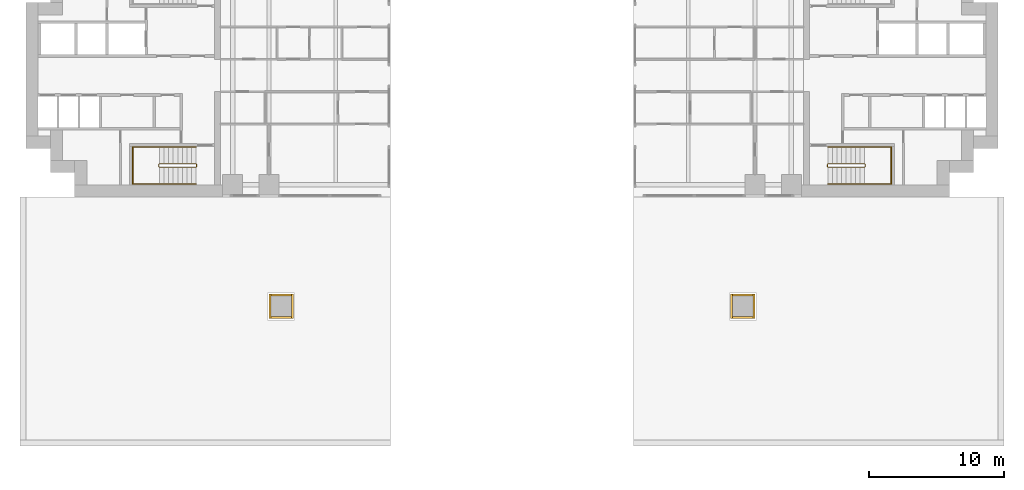
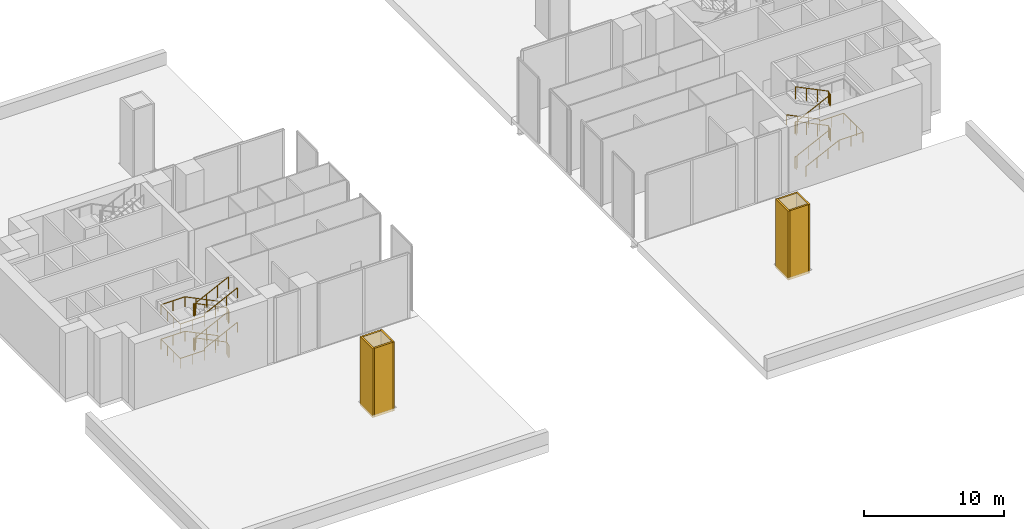
# One storey, part 11 of 13: 8 coverings, 5 railings.
"""IFC4 building model written with IfcOpenShell, lengths in metres."""

import ifcopenshell
import ifcopenshell.guid

model = None  # the IFC model being written
_history = None  # IfcOwnerHistory: only IFC2X3 demands one
_inside = {}  # id of a spatial element -> (the spatial element, [elements in it])
_under = {}  # id of a project, library or spatial element -> (it, [spatial elements below it])
_declared = {}  # id of a project -> (the project, [libraries it declares])
_typed = {}  # id of a type object -> (the type object, [elements of that type])
_made_of = {}  # id of a material, layer set ... -> (it, [elements and type objects made of it])


def new_model(schema):
    """Start an empty IFC model of exactly this schema.

    Asked for "IFC4X3", IfcOpenShell would pick the latest addendum, in which some entities
    have other attributes; the version numbers below select the first issue.
    IFC2X3 requires an IfcOwnerHistory on every rooted entity: one is made here for all.
    """
    global model, _history
    if schema == "IFC4X3":
        model = ifcopenshell.file(schema_version=(4, 3, 0, 0))
    else:
        model = ifcopenshell.file(schema=schema)
    _inside.clear()
    _under.clear()
    _declared.clear()
    _typed.clear()
    _made_of.clear()
    _history = None
    if model.schema == "IFC2X3":
        org = make("IfcOrganization", Name="unknown")
        user = make(
            "IfcPersonAndOrganization",
            ThePerson=make("IfcPerson", FamilyName="unknown"),
            TheOrganization=org,
        )
        app = make(
            "IfcApplication",
            ApplicationDeveloper=org,
            Version="unknown",
            ApplicationFullName="unknown",
            ApplicationIdentifier="unknown",
        )
        _history = make(
            "IfcOwnerHistory",
            OwningUser=user,
            OwningApplication=app,
            ChangeAction="ADDED",
            CreationDate=0,
        )
    return model


def make(cls, **values):
    """One entity of the class cls with the attributes given. An attribute that is None is left unset."""
    return model.create_entity(
        cls, **{name: value for name, value in values.items() if value is not None}
    )


def rooted(cls, **values):
    """An entity with a GlobalId (a new one), such as an element, a storey or a relation."""
    return make(cls, GlobalId=ifcopenshell.guid.new(), OwnerHistory=_history, **values)


def si_unit(unit_type, name, prefix=None):
    """IfcSIUnit, for example si_unit("LENGTHUNIT", "METRE", prefix="MILLI")."""
    return make("IfcSIUnit", UnitType=unit_type, Prefix=prefix, Name=name)


def assignment(units):
    """IfcUnitAssignment: the units of a project."""
    return None if units is None else make("IfcUnitAssignment", Units=units)


def point(xyz):
    """IfcCartesianPoint."""
    return None if xyz is None else make("IfcCartesianPoint", Coordinates=xyz)


def direction(xyz):
    """IfcDirection."""
    return None if xyz is None else make("IfcDirection", DirectionRatios=xyz)


def frame(location, z_axis=None, x_axis=None):
    """IfcAxis2Placement3D, a coordinate frame: its origin and axes. An axis left out is left unset."""
    return make(
        "IfcAxis2Placement3D",
        Location=point(location),
        Axis=direction(z_axis),
        RefDirection=direction(x_axis),
    )


def frame_2d(location, x_axis=None):
    """IfcAxis2Placement2D, a coordinate frame in the plane: its origin and x axis."""
    return make(
        "IfcAxis2Placement2D", Location=point(location), RefDirection=direction(x_axis)
    )


def origin():
    """The frame at (0, 0, 0) with its axes left unset."""
    return frame((0.0, 0.0, 0.0))


def origin_2d():
    """The frame at (0, 0) in the plane with its x axis left unset."""
    return frame_2d((0.0, 0.0))


def place(relative_to, where):
    """IfcLocalPlacement: puts the frame where relative to a parent placement (None: the world)."""
    return make(
        "IfcLocalPlacement", PlacementRelTo=relative_to, RelativePlacement=where
    )


def context(
    kind, dimensions, precision=None, world=None, true_north=None, identifier=None
):
    """IfcGeometricRepresentationContext, for example the 3D "Model" context."""
    return make(
        "IfcGeometricRepresentationContext",
        ContextIdentifier=identifier,
        ContextType=kind,
        CoordinateSpaceDimension=dimensions,
        Precision=precision,
        WorldCoordinateSystem=world,
        TrueNorth=true_north,
    )


def subcontext(parent, identifier, kind, view, scale=None):
    """IfcGeometricRepresentationSubContext, for example "Body" below "Model"."""
    return make(
        "IfcGeometricRepresentationSubContext",
        ContextIdentifier=identifier,
        ContextType=kind,
        ParentContext=parent,
        TargetScale=scale,
        TargetView=view,
    )


def project(units=None, contexts=None):
    """IfcProject with its units and contexts."""
    return rooted(
        "IfcProject",
        Name="project",
        RepresentationContexts=contexts,
        UnitsInContext=assignment(units),
    )


def spatial(cls, under=None, at=None, **own):
    """A site, building, storey or space (cls), placed at a placement, below another one or the project."""
    s = rooted(cls, ObjectPlacement=at, **own)
    if under is not None:
        _under.setdefault(under.id(), (under, []))[1].append(s)
    return s


def profile(cls, at=None, kind="AREA", **sizes):
    """A parametric profile (cls). Its sizes go by their IFC names, for example OverallWidth=200.0."""
    return make(cls, ProfileType=kind, Position=at, **sizes)


def rectangle(**sizes):
    """IfcRectangleProfileDef."""
    return profile("IfcRectangleProfileDef", **sizes)


def extrude(swept, where, along, depth):
    """IfcExtrudedAreaSolid: the profile swept, set in the frame where, extruded along a direction by depth."""
    return make(
        "IfcExtrudedAreaSolid",
        SweptArea=swept,
        Position=where,
        ExtrudedDirection=direction(along),
        Depth=depth,
    )


def shape(context_of_items, identifier, shape_type, items):
    """IfcShapeRepresentation: the items that make up one representation, for example the "Body"."""
    return make(
        "IfcShapeRepresentation",
        ContextOfItems=context_of_items,
        RepresentationIdentifier=identifier,
        RepresentationType=shape_type,
        Items=items,
    )


def material(Name=None, Category=None):
    """IfcMaterial."""
    return make("IfcMaterial", Name=Name, Category=Category)


def layer(
    of_material, thickness, ventilated=None, Name=None, Category=None, Priority=None
):
    """IfcMaterialLayer: one layer of a wall or slab, of a material (None: an air gap)."""
    return make(
        "IfcMaterialLayer",
        Material=of_material,
        LayerThickness=thickness,
        IsVentilated=ventilated,
        Name=Name,
        Category=Category,
        Priority=Priority,
    )


def layer_set(layers, Name=None):
    """IfcMaterialLayerSet."""
    return make("IfcMaterialLayerSet", MaterialLayers=layers, LayerSetName=Name)


def made_of(thing, what):
    """Note that an element or type object is made of a material, layer set ...; save() writes the relation."""
    if what is not None:
        _made_of.setdefault(what.id(), (what, []))[1].append(thing)
    return thing


def type_object(cls, material=None, **own):
    """A type object (cls), such as IfcWallType, which elements share."""
    return made_of(rooted(cls, **own), material)


def element(
    cls,
    number,
    at=None,
    inside=None,
    cuts=None,
    type_object=None,
    material=None,
    context=None,
    identifier="Body",
    shape_type=None,
    held_by="IfcProductDefinitionShape",
    body=None,
    shapes=None,
    **own,
):
    """One element of the class cls, such as IfcWall. Its Tag is "e" and its number.

    at: its placement. inside: the storey or other place that contains it. cuts: it is an
    opening in that element (IfcRelVoidsElement). A single representation is given by context,
    identifier, shape_type and body (its items); several are given by shapes. held_by: the class
    of the entity that holds the representations. save() writes the other relations.
    """
    e = rooted(cls, Tag="e%d" % number, ObjectPlacement=at, **own)
    if body is not None:
        shapes = [shape(context, identifier, shape_type, body)]
    if shapes is not None:
        e.Representation = make(held_by, Representations=shapes)
    if inside is not None:
        _inside.setdefault(inside.id(), (inside, []))[1].append(e)
    if cuts is not None:
        rooted(
            "IfcRelVoidsElement", RelatingBuildingElement=cuts, RelatedOpeningElement=e
        )
    if type_object is not None:
        _typed.setdefault(type_object.id(), (type_object, []))[1].append(e)
    return made_of(e, material)


def aggregate(whole, parts):
    """IfcRelAggregates: a whole, such as a stair, and the parts it consists of."""
    return rooted("IfcRelAggregates", RelatingObject=whole, RelatedObjects=parts)


def save(model, path):
    """Write the relations noted so far, then the file.

    IfcRelAggregates (storeys below a building ...), IfcRelContainedInSpatialStructure (elements
    in a storey), IfcRelDefinesByType, IfcRelAssociatesMaterial and IfcRelDeclares: one each for
    every whole, place, type object, material and project.
    """
    for whole, parts in _under.values():
        aggregate(whole, parts)
    for where, things in _inside.values():
        rooted(
            "IfcRelContainedInSpatialStructure",
            RelatedElements=things,
            RelatingStructure=where,
        )
    for kind, things in _typed.values():
        rooted("IfcRelDefinesByType", RelatedObjects=things, RelatingType=kind)
    for what, things in _made_of.values():
        rooted("IfcRelAssociatesMaterial", RelatedObjects=things, RelatingMaterial=what)
    for by, libraries in _declared.values():
        rooted("IfcRelDeclares", RelatingContext=by, RelatedDefinitions=libraries)
    model.write(path)


model = new_model("IFC4")

# Units and contexts
model_context = context("Model", 3, precision=1e-05, world=origin(), true_north=direction((0.0, 1.0)))
body_context = subcontext(model_context, "Body", "Model", "MODEL_VIEW")
ifc_project = project(units=[si_unit("LENGTHUNIT", "METRE"), si_unit("AREAUNIT", "SQUARE_METRE"), si_unit("VOLUMEUNIT", "CUBIC_METRE"), si_unit("PLANEANGLEUNIT", "RADIAN"), si_unit("MASSUNIT", "GRAM", prefix="KILO")], contexts=[model_context])

# Site, building, storey
site_placement = place(None, origin())
site = spatial("IfcSite", under=ifc_project, at=site_placement, CompositionType="ELEMENT")
building_placement = place(site_placement, origin())
building = spatial("IfcBuilding", under=site, at=building_placement, Name="Perihelion Cross Residences", CompositionType="ELEMENT")
storey_placement = place(building_placement, frame((0.0, 0.0, 15.0)))
storey = spatial("IfcBuildingStorey", under=building, at=storey_placement, Name="L01", CompositionType="ELEMENT", Elevation=15.0)

# Coverings
ifc_material_1 = material(Name="Bronze anodised aluminium", Category="aluminium")
ifc_layer = layer(ifc_material_1, 0.14990234375)
ifc_layer_set = layer_set([ifc_layer], Name="Bronze clad corner pier 150")
covering_type = type_object("IfcCoveringType", Name="Bronze clad corner pier 150", PredefinedType="CLADDING", material=ifc_layer_set)
covering_1_placement = place(storey_placement, frame((-17.925048828125, -17.10009765625, -0.300048828125), z_axis=(0.0, 0.0, 1.0), x_axis=(1.0, 0.0, 0.0)))
element("IfcCovering", 1, at=covering_1_placement, inside=storey, type_object=covering_type, Name="Cladding CP1 L01 casing east-west no. 1", PredefinedType="CLADDING", context=body_context, shape_type="SweptSolid", body=[
    extrude(rectangle(XDim=0.14990234375, YDim=1.800048828125, at=origin_2d()), origin(), (0.0, 0.0, 1.0), 6.0),
])
covering_2_placement = place(storey_placement, frame((-17.10009765625, -17.925048828125, -0.300048828125), z_axis=(0.0, 0.0, 1.0), x_axis=(1.0, 0.0, 0.0)))
element("IfcCovering", 2, at=covering_2_placement, inside=storey, type_object=covering_type, Name="Cladding CP1 L01 casing north-south no. 1", PredefinedType="CLADDING", context=body_context, shape_type="SweptSolid", body=[
    extrude(rectangle(XDim=1.5, YDim=0.14990234375, at=origin_2d()), origin(), (0.0, 0.0, 1.0), 6.0),
])
covering_3_placement = place(storey_placement, frame((-16.27490234375, -17.10009765625, -0.300048828125), z_axis=(0.0, 0.0, 1.0), x_axis=(1.0, 0.0, 0.0)))
element("IfcCovering", 3, at=covering_3_placement, inside=storey, type_object=covering_type, Name="Cladding CP1 L01 casing inner east-west no. 1", PredefinedType="CLADDING", context=body_context, shape_type="SweptSolid", body=[
    extrude(rectangle(XDim=0.14990234375, YDim=1.800048828125, at=origin_2d()), origin(), (0.0, 0.0, 1.0), 6.0),
])
covering_4_placement = place(storey_placement, frame((-17.10009765625, -16.27490234375, -0.300048828125), z_axis=(0.0, 0.0, 1.0), x_axis=(1.0, 0.0, 0.0)))
element("IfcCovering", 4, at=covering_4_placement, inside=storey, type_object=covering_type, Name="Cladding CP1 L01 casing inner north-south no. 1", PredefinedType="CLADDING", context=body_context, shape_type="SweptSolid", body=[
    extrude(rectangle(XDim=1.5, YDim=0.14990234375, at=origin_2d()), origin(), (0.0, 0.0, 1.0), 6.0),
])
covering_5_placement = place(storey_placement, frame((17.925048828125, -17.10009765625, -0.300048828125), z_axis=(0.0, 0.0, 1.0), x_axis=(1.0, 0.0, 0.0)))
element("IfcCovering", 5, at=covering_5_placement, inside=storey, type_object=covering_type, Name="Cladding CP1 L01 casing east-west no. 3", PredefinedType="CLADDING", context=body_context, shape_type="SweptSolid", body=[
    extrude(rectangle(XDim=0.14990234375, YDim=1.800048828125, at=origin_2d()), origin(), (0.0, 0.0, 1.0), 6.0),
])
covering_6_placement = place(storey_placement, frame((17.10009765625, -17.925048828125, -0.300048828125), z_axis=(0.0, 0.0, 1.0), x_axis=(1.0, 0.0, 0.0)))
element("IfcCovering", 6, at=covering_6_placement, inside=storey, type_object=covering_type, Name="Cladding CP1 L01 casing north-south no. 3", PredefinedType="CLADDING", context=body_context, shape_type="SweptSolid", body=[
    extrude(rectangle(XDim=1.5, YDim=0.14990234375, at=origin_2d()), origin(), (0.0, 0.0, 1.0), 6.0),
])
covering_7_placement = place(storey_placement, frame((16.27490234375, -17.10009765625, -0.300048828125), z_axis=(0.0, 0.0, 1.0), x_axis=(1.0, 0.0, 0.0)))
element("IfcCovering", 7, at=covering_7_placement, inside=storey, type_object=covering_type, Name="Cladding CP1 L01 casing inner east-west no. 3", PredefinedType="CLADDING", context=body_context, shape_type="SweptSolid", body=[
    extrude(rectangle(XDim=0.14990234375, YDim=1.800048828125, at=origin_2d()), origin(), (0.0, 0.0, 1.0), 6.0),
])
covering_8_placement = place(storey_placement, frame((17.10009765625, -16.27490234375, -0.300048828125), z_axis=(0.0, 0.0, 1.0), x_axis=(1.0, 0.0, 0.0)))
element("IfcCovering", 8, at=covering_8_placement, inside=storey, type_object=covering_type, Name="Cladding CP1 L01 casing inner north-south no. 3", PredefinedType="CLADDING", context=body_context, shape_type="SweptSolid", body=[
    extrude(rectangle(XDim=1.5, YDim=0.14990234375, at=origin_2d()), origin(), (0.0, 0.0, 1.0), 6.0),
])

# Railings
ifc_material_2 = material(Name="Stainless steel", Category="steel")
railing_type_1 = type_object("IfcRailingType", Name="Stair guard 1100", PredefinedType="GUARDRAIL", material=ifc_material_2)
railing_1_placement = place(storey_placement, frame((23.35009765625, -6.60009765625, 0.0)))
element("IfcRailing", 9, at=railing_1_placement, inside=storey, type_object=railing_type_1, Name="L01 ST-E2 stair guard 1", PredefinedType="GUARDRAIL", context=body_context, shape_type="SweptSolid", body=[
    extrude(rectangle(XDim=0.048095703125, YDim=0.048095703125, at=origin_2d()), frame((0.0, 0.0, 1.076171875), z_axis=(0.0, -1.0, 0.0), x_axis=(1.0, 0.0, 0.0)), (0.0, 0.0, 1.0), 0.14990234375),
    extrude(rectangle(XDim=0.048095703125, YDim=0.048095703125, at=origin_2d()), frame((0.0, -0.14990234375, 1.076171875), z_axis=(0.275041040955, -0.276389281352, 0.920848191041), x_axis=(0.708833529934, 0.705375805398, 0.0)), (0.0, 0.0, 1.0), 0.18115234375),
    extrude(rectangle(XDim=0.048095703125, YDim=0.048095703125, at=origin_2d()), frame((0.0498046875, -0.199951171875, 1.24267578125), z_axis=(0.897945078525, 0.0, 0.440107527717), x_axis=(0.0, 1.0, 0.0)), (0.0, 0.0, 1.0), 3.029296875),
    extrude(rectangle(XDim=0.048095703125, YDim=0.048095703125, at=origin_2d()), frame((2.77001953125, -0.199951171875, 2.576171875), z_axis=(0.705375805398, 0.708833529934, 0.0), x_axis=(-0.708833529934, 0.705375805398, 0.0)), (0.0, 0.0, 1.0), 0.070556640625),
    extrude(rectangle(XDim=0.048095703125, YDim=0.048095703125, at=origin_2d()), frame((2.81982421875, -0.14990234375, 2.576171875), z_axis=(0.0, 1.0, 0.0), x_axis=(-1.0, 0.0, 0.0)), (0.0, 0.0, 1.0), 0.14990234375),
    extrude(rectangle(XDim=0.048095703125, YDim=0.048095703125, at=origin_2d()), frame((2.81982421875, 0.0, 2.576171875), z_axis=(-0.275041040955, 0.276389281352, 0.920848191041), x_axis=(-0.708833529934, -0.705375805398, 0.0)), (0.0, 0.0, 1.0), 0.18115234375),
    extrude(rectangle(XDim=0.048095703125, YDim=0.048095703125, at=origin_2d()), frame((2.77001953125, 0.050048828125, 2.74267578125), z_axis=(-0.897945078525, 0.0, 0.440107527717), x_axis=(0.0, -1.0, 0.0)), (0.0, 0.0, 1.0), 3.029296875),
    extrude(rectangle(XDim=0.048095703125, YDim=0.048095703125, at=origin_2d()), frame((0.0498046875, 0.050048828125, 4.076171875), z_axis=(-0.241699205484, -0.970351222016, 0.0), x_axis=(0.970351222016, -0.241699205484, 0.0)), (0.0, 0.0, 1.0), 0.2060546875),
    extrude(rectangle(XDim=0.048095703125, YDim=0.048095703125, at=origin_2d()), frame((0.0, -0.14990234375, 4.076171875), z_axis=(0.0, 1.0, 0.0), x_axis=(-1.0, 0.0, 0.0)), (0.0, 0.0, 1.0), 0.14990234375),
    extrude(rectangle(XDim=0.048095703125, YDim=0.048095703125, at=origin_2d()), frame((0.0, 0.0, 4.076171875), z_axis=(0.1878875253, -0.754313153044, 0.629054802844), x_axis=(0.970351222016, 0.241699205484, 0.0)), (0.0, 0.0, 1.0), 0.26513671875),
    extrude(rectangle(XDim=0.048095703125, YDim=0.048095703125, at=origin_2d()), frame((0.0498046875, -0.199951171875, 4.24267578125), z_axis=(0.897945078525, 0.0, 0.440107527717), x_axis=(0.0, 1.0, 0.0)), (0.0, 0.0, 1.0), 3.029296875),
    extrude(rectangle(XDim=0.048095703125, YDim=0.048095703125, at=origin_2d()), frame((2.77001953125, -0.199951171875, 5.576171875), z_axis=(0.705375805398, 0.708833529934, 0.0), x_axis=(-0.708833529934, 0.705375805398, 0.0)), (0.0, 0.0, 1.0), 0.070556640625),
    extrude(rectangle(XDim=0.048095703125, YDim=0.048095703125, at=origin_2d()), frame((2.81982421875, -0.14990234375, 5.576171875), z_axis=(0.0, 1.0, 0.0), x_axis=(-1.0, 0.0, 0.0)), (0.0, 0.0, 1.0), 0.14990234375),
    extrude(rectangle(XDim=0.048095703125, YDim=0.048095703125, at=origin_2d()), frame((2.81982421875, 0.0, 5.576171875), z_axis=(-0.275041040955, 0.276389281352, 0.920848191041), x_axis=(-0.708833529934, -0.705375805398, 0.0)), (0.0, 0.0, 1.0), 0.18115234375),
    extrude(rectangle(XDim=0.048095703125, YDim=0.048095703125, at=origin_2d()), frame((2.77001953125, 0.050048828125, 5.74267578125), z_axis=(-0.897945078525, 0.0, 0.440107527717), x_axis=(0.0, -1.0, 0.0)), (0.0, 0.0, 1.0), 3.029296875),
    extrude(rectangle(XDim=0.0419921875, YDim=0.0419921875, at=origin_2d()), origin(), (0.0, 0.0, 1.0), 1.052001953125),
    extrude(rectangle(XDim=0.0419921875, YDim=0.0419921875, at=origin_2d()), frame((0.0, -0.14990234375, 0.0)), (0.0, 0.0, 1.0), 1.052001953125),
    extrude(rectangle(XDim=0.0419921875, YDim=0.0419921875, at=origin_2d()), frame((0.0498046875, -0.199951171875, 0.166748046875)), (0.0, 0.0, 1.0), 1.052001953125),
    extrude(rectangle(XDim=0.0419921875, YDim=0.0419921875, at=origin_2d()), frame((0.95654296875, -0.199951171875, 0.611083984375)), (0.0, 0.0, 1.0), 1.052001953125),
    extrude(rectangle(XDim=0.0419921875, YDim=0.0419921875, at=origin_2d()), frame((1.86328125, -0.199951171875, 1.0556640625)), (0.0, 0.0, 1.0), 1.052001953125),
    extrude(rectangle(XDim=0.0419921875, YDim=0.0419921875, at=origin_2d()), frame((2.77001953125, -0.199951171875, 1.5)), (0.0, 0.0, 1.0), 1.052001953125),
    extrude(rectangle(XDim=0.0419921875, YDim=0.0419921875, at=origin_2d()), frame((2.81982421875, -0.14990234375, 1.5)), (0.0, 0.0, 1.0), 1.052001953125),
    extrude(rectangle(XDim=0.0419921875, YDim=0.0419921875, at=origin_2d()), frame((2.81982421875, 0.0, 1.5)), (0.0, 0.0, 1.0), 1.052001953125),
    extrude(rectangle(XDim=0.0419921875, YDim=0.0419921875, at=origin_2d()), frame((2.77001953125, 0.050048828125, 1.666748046875)), (0.0, 0.0, 1.0), 1.052001953125),
    extrude(rectangle(XDim=0.0419921875, YDim=0.0419921875, at=origin_2d()), frame((1.86328125, 0.050048828125, 2.111083984375)), (0.0, 0.0, 1.0), 1.052001953125),
    extrude(rectangle(XDim=0.0419921875, YDim=0.0419921875, at=origin_2d()), frame((0.95654296875, 0.050048828125, 2.5556640625)), (0.0, 0.0, 1.0), 1.052001953125),
    extrude(rectangle(XDim=0.0419921875, YDim=0.0419921875, at=origin_2d()), frame((0.0498046875, 0.050048828125, 3.0)), (0.0, 0.0, 1.0), 1.052001953125),
    extrude(rectangle(XDim=0.0419921875, YDim=0.0419921875, at=origin_2d()), frame((0.0, -0.14990234375, 3.0)), (0.0, 0.0, 1.0), 1.052001953125),
    extrude(rectangle(XDim=0.0419921875, YDim=0.0419921875, at=origin_2d()), frame((0.0, 0.0, 3.0)), (0.0, 0.0, 1.0), 1.052001953125),
    extrude(rectangle(XDim=0.0419921875, YDim=0.0419921875, at=origin_2d()), frame((0.0498046875, -0.199951171875, 3.166748046875)), (0.0, 0.0, 1.0), 1.052001953125),
    extrude(rectangle(XDim=0.0419921875, YDim=0.0419921875, at=origin_2d()), frame((0.95654296875, -0.199951171875, 3.611083984375)), (0.0, 0.0, 1.0), 1.052001953125),
    extrude(rectangle(XDim=0.0419921875, YDim=0.0419921875, at=origin_2d()), frame((1.86328125, -0.199951171875, 4.0556640625)), (0.0, 0.0, 1.0), 1.052001953125),
    extrude(rectangle(XDim=0.0419921875, YDim=0.0419921875, at=origin_2d()), frame((2.77001953125, -0.199951171875, 4.5)), (0.0, 0.0, 1.0), 1.052001953125),
    extrude(rectangle(XDim=0.0419921875, YDim=0.0419921875, at=origin_2d()), frame((2.81982421875, -0.14990234375, 4.5)), (0.0, 0.0, 1.0), 1.052001953125),
    extrude(rectangle(XDim=0.0419921875, YDim=0.0419921875, at=origin_2d()), frame((2.81982421875, 0.0, 4.5)), (0.0, 0.0, 1.0), 1.052001953125),
    extrude(rectangle(XDim=0.0419921875, YDim=0.0419921875, at=origin_2d()), frame((2.77001953125, 0.050048828125, 4.666748046875)), (0.0, 0.0, 1.0), 1.052001953125),
    extrude(rectangle(XDim=0.0419921875, YDim=0.0419921875, at=origin_2d()), frame((1.86328125, 0.050048828125, 5.111083984375)), (0.0, 0.0, 1.0), 1.052001953125),
    extrude(rectangle(XDim=0.0419921875, YDim=0.0419921875, at=origin_2d()), frame((0.95654296875, 0.050048828125, 5.5556640625)), (0.0, 0.0, 1.0), 1.052001953125),
    extrude(rectangle(XDim=0.0419921875, YDim=0.0419921875, at=origin_2d()), frame((0.0498046875, 0.050048828125, 6.0)), (0.0, 0.0, 1.0), 1.052001953125),
])
railing_2_placement = place(storey_placement, frame((-23.35009765625, -6.75, 0.0)))
element("IfcRailing", 10, at=railing_2_placement, inside=storey, type_object=railing_type_1, Name="L01 ST-W2 stair guard 1", PredefinedType="GUARDRAIL", context=body_context, shape_type="SweptSolid", body=[
    extrude(rectangle(XDim=0.048095703125, YDim=0.048095703125, at=origin_2d()), frame((0.0, 0.0, 1.076171875), z_axis=(0.0, 1.0, 0.0), x_axis=(-1.0, 0.0, 0.0)), (0.0, 0.0, 1.0), 0.14990234375),
    extrude(rectangle(XDim=0.048095703125, YDim=0.048095703125, at=origin_2d()), frame((0.0, 0.14990234375, 1.076171875), z_axis=(-0.275041040955, 0.276389281352, 0.920848191041), x_axis=(-0.708833529934, -0.705375805398, 0.0)), (0.0, 0.0, 1.0), 0.18115234375),
    extrude(rectangle(XDim=0.048095703125, YDim=0.048095703125, at=origin_2d()), frame((-0.0498046875, 0.199951171875, 1.24267578125), z_axis=(-0.897945078525, 0.0, 0.440107527717), x_axis=(0.0, -1.0, 0.0)), (0.0, 0.0, 1.0), 3.029296875),
    extrude(rectangle(XDim=0.048095703125, YDim=0.048095703125, at=origin_2d()), frame((-2.77001953125, 0.199951171875, 2.576171875), z_axis=(-0.705375805398, -0.708833529934, 0.0), x_axis=(0.708833529934, -0.705375805398, 0.0)), (0.0, 0.0, 1.0), 0.070556640625),
    extrude(rectangle(XDim=0.048095703125, YDim=0.048095703125, at=origin_2d()), frame((-2.81982421875, 0.14990234375, 2.576171875), z_axis=(0.0, -1.0, 0.0), x_axis=(1.0, 0.0, 0.0)), (0.0, 0.0, 1.0), 0.14990234375),
    extrude(rectangle(XDim=0.048095703125, YDim=0.048095703125, at=origin_2d()), frame((-2.81982421875, 0.0, 2.576171875), z_axis=(0.275041040955, -0.276389281352, 0.920848191041), x_axis=(0.708833529934, 0.705375805398, 0.0)), (0.0, 0.0, 1.0), 0.18115234375),
    extrude(rectangle(XDim=0.048095703125, YDim=0.048095703125, at=origin_2d()), frame((-2.77001953125, -0.050048828125, 2.74267578125), z_axis=(0.897945078525, 0.0, 0.440107527717), x_axis=(0.0, 1.0, 0.0)), (0.0, 0.0, 1.0), 3.029296875),
    extrude(rectangle(XDim=0.048095703125, YDim=0.048095703125, at=origin_2d()), frame((-0.0498046875, -0.050048828125, 4.076171875), z_axis=(0.241699205484, 0.970351222016, 0.0), x_axis=(-0.970351222016, 0.241699205484, 0.0)), (0.0, 0.0, 1.0), 0.2060546875),
    extrude(rectangle(XDim=0.048095703125, YDim=0.048095703125, at=origin_2d()), frame((0.0, 0.14990234375, 4.076171875), z_axis=(0.0, -1.0, 0.0), x_axis=(1.0, 0.0, 0.0)), (0.0, 0.0, 1.0), 0.14990234375),
    extrude(rectangle(XDim=0.048095703125, YDim=0.048095703125, at=origin_2d()), frame((0.0, 0.0, 4.076171875), z_axis=(-0.1878875253, 0.754313153044, 0.629054802844), x_axis=(-0.970351222016, -0.241699205484, 0.0)), (0.0, 0.0, 1.0), 0.26513671875),
    extrude(rectangle(XDim=0.048095703125, YDim=0.048095703125, at=origin_2d()), frame((-0.0498046875, 0.199951171875, 4.24267578125), z_axis=(-0.897945078525, 0.0, 0.440107527717), x_axis=(0.0, -1.0, 0.0)), (0.0, 0.0, 1.0), 3.029296875),
    extrude(rectangle(XDim=0.048095703125, YDim=0.048095703125, at=origin_2d()), frame((-2.77001953125, 0.199951171875, 5.576171875), z_axis=(-0.705375805398, -0.708833529934, 0.0), x_axis=(0.708833529934, -0.705375805398, 0.0)), (0.0, 0.0, 1.0), 0.070556640625),
    extrude(rectangle(XDim=0.048095703125, YDim=0.048095703125, at=origin_2d()), frame((-2.81982421875, 0.14990234375, 5.576171875), z_axis=(0.0, -1.0, 0.0), x_axis=(1.0, 0.0, 0.0)), (0.0, 0.0, 1.0), 0.14990234375),
    extrude(rectangle(XDim=0.048095703125, YDim=0.048095703125, at=origin_2d()), frame((-2.81982421875, 0.0, 5.576171875), z_axis=(0.275041040955, -0.276389281352, 0.920848191041), x_axis=(0.708833529934, 0.705375805398, 0.0)), (0.0, 0.0, 1.0), 0.18115234375),
    extrude(rectangle(XDim=0.048095703125, YDim=0.048095703125, at=origin_2d()), frame((-2.77001953125, -0.050048828125, 5.74267578125), z_axis=(0.897945078525, 0.0, 0.440107527717), x_axis=(0.0, 1.0, 0.0)), (0.0, 0.0, 1.0), 3.029296875),
    extrude(rectangle(XDim=0.0419921875, YDim=0.0419921875, at=origin_2d()), origin(), (0.0, 0.0, 1.0), 1.052001953125),
    extrude(rectangle(XDim=0.0419921875, YDim=0.0419921875, at=origin_2d()), frame((0.0, 0.14990234375, 0.0)), (0.0, 0.0, 1.0), 1.052001953125),
    extrude(rectangle(XDim=0.0419921875, YDim=0.0419921875, at=origin_2d()), frame((-0.0498046875, 0.199951171875, 0.166748046875)), (0.0, 0.0, 1.0), 1.052001953125),
    extrude(rectangle(XDim=0.0419921875, YDim=0.0419921875, at=origin_2d()), frame((-0.95654296875, 0.199951171875, 0.611083984375)), (0.0, 0.0, 1.0), 1.052001953125),
    extrude(rectangle(XDim=0.0419921875, YDim=0.0419921875, at=origin_2d()), frame((-1.86328125, 0.199951171875, 1.0556640625)), (0.0, 0.0, 1.0), 1.052001953125),
    extrude(rectangle(XDim=0.0419921875, YDim=0.0419921875, at=origin_2d()), frame((-2.77001953125, 0.199951171875, 1.5)), (0.0, 0.0, 1.0), 1.052001953125),
    extrude(rectangle(XDim=0.0419921875, YDim=0.0419921875, at=origin_2d()), frame((-2.81982421875, 0.14990234375, 1.5)), (0.0, 0.0, 1.0), 1.052001953125),
    extrude(rectangle(XDim=0.0419921875, YDim=0.0419921875, at=origin_2d()), frame((-2.81982421875, 0.0, 1.5)), (0.0, 0.0, 1.0), 1.052001953125),
    extrude(rectangle(XDim=0.0419921875, YDim=0.0419921875, at=origin_2d()), frame((-2.77001953125, -0.050048828125, 1.666748046875)), (0.0, 0.0, 1.0), 1.052001953125),
    extrude(rectangle(XDim=0.0419921875, YDim=0.0419921875, at=origin_2d()), frame((-1.86328125, -0.050048828125, 2.111083984375)), (0.0, 0.0, 1.0), 1.052001953125),
    extrude(rectangle(XDim=0.0419921875, YDim=0.0419921875, at=origin_2d()), frame((-0.95654296875, -0.050048828125, 2.5556640625)), (0.0, 0.0, 1.0), 1.052001953125),
    extrude(rectangle(XDim=0.0419921875, YDim=0.0419921875, at=origin_2d()), frame((-0.0498046875, -0.050048828125, 3.0)), (0.0, 0.0, 1.0), 1.052001953125),
    extrude(rectangle(XDim=0.0419921875, YDim=0.0419921875, at=origin_2d()), frame((0.0, 0.14990234375, 3.0)), (0.0, 0.0, 1.0), 1.052001953125),
    extrude(rectangle(XDim=0.0419921875, YDim=0.0419921875, at=origin_2d()), frame((0.0, 0.0, 3.0)), (0.0, 0.0, 1.0), 1.052001953125),
    extrude(rectangle(XDim=0.0419921875, YDim=0.0419921875, at=origin_2d()), frame((-0.0498046875, 0.199951171875, 3.166748046875)), (0.0, 0.0, 1.0), 1.052001953125),
    extrude(rectangle(XDim=0.0419921875, YDim=0.0419921875, at=origin_2d()), frame((-0.95654296875, 0.199951171875, 3.611083984375)), (0.0, 0.0, 1.0), 1.052001953125),
    extrude(rectangle(XDim=0.0419921875, YDim=0.0419921875, at=origin_2d()), frame((-1.86328125, 0.199951171875, 4.0556640625)), (0.0, 0.0, 1.0), 1.052001953125),
    extrude(rectangle(XDim=0.0419921875, YDim=0.0419921875, at=origin_2d()), frame((-2.77001953125, 0.199951171875, 4.5)), (0.0, 0.0, 1.0), 1.052001953125),
    extrude(rectangle(XDim=0.0419921875, YDim=0.0419921875, at=origin_2d()), frame((-2.81982421875, 0.14990234375, 4.5)), (0.0, 0.0, 1.0), 1.052001953125),
    extrude(rectangle(XDim=0.0419921875, YDim=0.0419921875, at=origin_2d()), frame((-2.81982421875, 0.0, 4.5)), (0.0, 0.0, 1.0), 1.052001953125),
    extrude(rectangle(XDim=0.0419921875, YDim=0.0419921875, at=origin_2d()), frame((-2.77001953125, -0.050048828125, 4.666748046875)), (0.0, 0.0, 1.0), 1.052001953125),
    extrude(rectangle(XDim=0.0419921875, YDim=0.0419921875, at=origin_2d()), frame((-1.86328125, -0.050048828125, 5.111083984375)), (0.0, 0.0, 1.0), 1.052001953125),
    extrude(rectangle(XDim=0.0419921875, YDim=0.0419921875, at=origin_2d()), frame((-0.95654296875, -0.050048828125, 5.5556640625)), (0.0, 0.0, 1.0), 1.052001953125),
    extrude(rectangle(XDim=0.0419921875, YDim=0.0419921875, at=origin_2d()), frame((-0.0498046875, -0.050048828125, 6.0)), (0.0, 0.0, 1.0), 1.052001953125),
])
ifc_material_3 = material(Name="Stainless steel", Category="steel")
railing_type_2 = type_object("IfcRailingType", Name="Stair handrail 900", PredefinedType="HANDRAIL", material=ifc_material_3)
railing_3_placement = place(storey_placement, frame((23.39990234375, -8.050048828125, 0.166748046875)))
element("IfcRailing", 11, at=railing_3_placement, inside=storey, type_object=railing_type_2, Name="L01 ST-E2 stair handrail 1", PredefinedType="HANDRAIL", context=body_context, shape_type="SweptSolid", body=[
    extrude(rectangle(XDim=0.048095703125, YDim=0.048095703125, at=origin_2d()), frame((0.0, 0.0, 0.8759765625), z_axis=(0.897945078525, 0.0, 0.440107527717), x_axis=(0.0, 1.0, 0.0)), (0.0, 0.0, 1.0), 3.029296875),
    extrude(rectangle(XDim=0.048095703125, YDim=0.048095703125, at=origin_2d()), frame((2.72021484375, 0.0, 2.208984375), z_axis=(1.0, 0.0, 0.0), x_axis=(0.0, 1.0, 0.0)), (0.0, 0.0, 1.0), 1.97998046875),
    extrude(rectangle(XDim=0.048095703125, YDim=0.048095703125, at=origin_2d()), frame((4.7001953125, 0.0, 2.208984375), z_axis=(0.0, 1.0, 0.0), x_axis=(-1.0, 0.0, 0.0)), (0.0, 0.0, 1.0), 2.75),
    extrude(rectangle(XDim=0.048095703125, YDim=0.048095703125, at=origin_2d()), frame((4.7001953125, 2.75, 2.208984375), z_axis=(-1.0, 0.0, 0.0), x_axis=(0.0, -1.0, 0.0)), (0.0, 0.0, 1.0), 1.97998046875),
    extrude(rectangle(XDim=0.048095703125, YDim=0.048095703125, at=origin_2d()), frame((2.72021484375, 2.75, 2.208984375), z_axis=(0.0, 0.0, 1.0), x_axis=(1.0, 0.0, 0.0)), (0.0, 0.0, 1.0), 0.166748046875),
    extrude(rectangle(XDim=0.048095703125, YDim=0.048095703125, at=origin_2d()), frame((2.72021484375, 2.75, 2.3759765625), z_axis=(-0.897945078525, 0.0, 0.440107527717), x_axis=(0.0, -1.0, 0.0)), (0.0, 0.0, 1.0), 3.029296875),
    extrude(rectangle(XDim=0.0419921875, YDim=0.0419921875, at=origin_2d()), origin(), (0.0, 0.0, 1.0), 0.851806640625),
    extrude(rectangle(XDim=0.0419921875, YDim=0.0419921875, at=origin_2d()), frame((0.90673828125, 0.0, 0.4443359375)), (0.0, 0.0, 1.0), 0.851806640625),
    extrude(rectangle(XDim=0.0419921875, YDim=0.0419921875, at=origin_2d()), frame((1.8134765625, 0.0, 0.888916015625)), (0.0, 0.0, 1.0), 0.851806640625),
    extrude(rectangle(XDim=0.0419921875, YDim=0.0419921875, at=origin_2d()), frame((2.72021484375, 0.0, 1.333251953125)), (0.0, 0.0, 1.0), 0.851806640625),
    extrude(rectangle(XDim=0.0419921875, YDim=0.0419921875, at=origin_2d()), frame((3.710205078125, 0.0, 1.333251953125)), (0.0, 0.0, 1.0), 0.851806640625),
    extrude(rectangle(XDim=0.0419921875, YDim=0.0419921875, at=origin_2d()), frame((4.7001953125, 0.0, 1.333251953125)), (0.0, 0.0, 1.0), 0.851806640625),
    extrude(rectangle(XDim=0.0419921875, YDim=0.0419921875, at=origin_2d()), frame((4.7001953125, 0.916748046875, 1.333251953125)), (0.0, 0.0, 1.0), 0.851806640625),
    extrude(rectangle(XDim=0.0419921875, YDim=0.0419921875, at=origin_2d()), frame((4.7001953125, 1.833251953125, 1.333251953125)), (0.0, 0.0, 1.0), 0.851806640625),
    extrude(rectangle(XDim=0.0419921875, YDim=0.0419921875, at=origin_2d()), frame((4.7001953125, 2.75, 1.333251953125)), (0.0, 0.0, 1.0), 0.851806640625),
    extrude(rectangle(XDim=0.0419921875, YDim=0.0419921875, at=origin_2d()), frame((3.710205078125, 2.75, 1.333251953125)), (0.0, 0.0, 1.0), 0.851806640625),
    extrude(rectangle(XDim=0.0419921875, YDim=0.0419921875, at=origin_2d()), frame((2.72021484375, 2.75, 1.333251953125)), (0.0, 0.0, 1.0), 0.851806640625),
    extrude(rectangle(XDim=0.0419921875, YDim=0.0419921875, at=origin_2d()), frame((2.72021484375, 2.75, 1.5)), (0.0, 0.0, 1.0), 0.851806640625),
    extrude(rectangle(XDim=0.0419921875, YDim=0.0419921875, at=origin_2d()), frame((1.8134765625, 2.75, 1.9443359375)), (0.0, 0.0, 1.0), 0.851806640625),
    extrude(rectangle(XDim=0.0419921875, YDim=0.0419921875, at=origin_2d()), frame((0.90673828125, 2.75, 2.388916015625)), (0.0, 0.0, 1.0), 0.851806640625),
    extrude(rectangle(XDim=0.0419921875, YDim=0.0419921875, at=origin_2d()), frame((0.0, 2.75, 2.833251953125)), (0.0, 0.0, 1.0), 0.851806640625),
])
railing_4_placement = place(storey_placement, frame((-23.39990234375, -5.300048828125, 0.166748046875)))
element("IfcRailing", 12, at=railing_4_placement, inside=storey, type_object=railing_type_2, Name="L01 ST-W2 stair handrail 1", PredefinedType="HANDRAIL", context=body_context, shape_type="SweptSolid", body=[
    extrude(rectangle(XDim=0.048095703125, YDim=0.048095703125, at=origin_2d()), frame((0.0, 0.0, 0.8759765625), z_axis=(-0.897945078525, 0.0, 0.440107527717), x_axis=(0.0, -1.0, 0.0)), (0.0, 0.0, 1.0), 3.029296875),
    extrude(rectangle(XDim=0.048095703125, YDim=0.048095703125, at=origin_2d()), frame((-2.72021484375, 0.0, 2.208984375), z_axis=(-1.0, 0.0, 0.0), x_axis=(0.0, -1.0, 0.0)), (0.0, 0.0, 1.0), 1.97998046875),
    extrude(rectangle(XDim=0.048095703125, YDim=0.048095703125, at=origin_2d()), frame((-4.7001953125, 0.0, 2.208984375), z_axis=(0.0, -1.0, 0.0), x_axis=(1.0, 0.0, 0.0)), (0.0, 0.0, 1.0), 2.75),
    extrude(rectangle(XDim=0.048095703125, YDim=0.048095703125, at=origin_2d()), frame((-4.7001953125, -2.75, 2.208984375), z_axis=(1.0, 0.0, 0.0), x_axis=(0.0, 1.0, 0.0)), (0.0, 0.0, 1.0), 1.97998046875),
    extrude(rectangle(XDim=0.048095703125, YDim=0.048095703125, at=origin_2d()), frame((-2.72021484375, -2.75, 2.208984375), z_axis=(0.0, 0.0, 1.0), x_axis=(1.0, 0.0, 0.0)), (0.0, 0.0, 1.0), 0.166748046875),
    extrude(rectangle(XDim=0.048095703125, YDim=0.048095703125, at=origin_2d()), frame((-2.72021484375, -2.75, 2.3759765625), z_axis=(0.897945078525, 0.0, 0.440107527717), x_axis=(0.0, 1.0, 0.0)), (0.0, 0.0, 1.0), 3.029296875),
    extrude(rectangle(XDim=0.0419921875, YDim=0.0419921875, at=origin_2d()), origin(), (0.0, 0.0, 1.0), 0.851806640625),
    extrude(rectangle(XDim=0.0419921875, YDim=0.0419921875, at=origin_2d()), frame((-0.90673828125, 0.0, 0.4443359375)), (0.0, 0.0, 1.0), 0.851806640625),
    extrude(rectangle(XDim=0.0419921875, YDim=0.0419921875, at=origin_2d()), frame((-1.8134765625, 0.0, 0.888916015625)), (0.0, 0.0, 1.0), 0.851806640625),
    extrude(rectangle(XDim=0.0419921875, YDim=0.0419921875, at=origin_2d()), frame((-2.72021484375, 0.0, 1.333251953125)), (0.0, 0.0, 1.0), 0.851806640625),
    extrude(rectangle(XDim=0.0419921875, YDim=0.0419921875, at=origin_2d()), frame((-3.710205078125, 0.0, 1.333251953125)), (0.0, 0.0, 1.0), 0.851806640625),
    extrude(rectangle(XDim=0.0419921875, YDim=0.0419921875, at=origin_2d()), frame((-4.7001953125, 0.0, 1.333251953125)), (0.0, 0.0, 1.0), 0.851806640625),
    extrude(rectangle(XDim=0.0419921875, YDim=0.0419921875, at=origin_2d()), frame((-4.7001953125, -0.916748046875, 1.333251953125)), (0.0, 0.0, 1.0), 0.851806640625),
    extrude(rectangle(XDim=0.0419921875, YDim=0.0419921875, at=origin_2d()), frame((-4.7001953125, -1.833251953125, 1.333251953125)), (0.0, 0.0, 1.0), 0.851806640625),
    extrude(rectangle(XDim=0.0419921875, YDim=0.0419921875, at=origin_2d()), frame((-4.7001953125, -2.75, 1.333251953125)), (0.0, 0.0, 1.0), 0.851806640625),
    extrude(rectangle(XDim=0.0419921875, YDim=0.0419921875, at=origin_2d()), frame((-3.710205078125, -2.75, 1.333251953125)), (0.0, 0.0, 1.0), 0.851806640625),
    extrude(rectangle(XDim=0.0419921875, YDim=0.0419921875, at=origin_2d()), frame((-2.72021484375, -2.75, 1.333251953125)), (0.0, 0.0, 1.0), 0.851806640625),
    extrude(rectangle(XDim=0.0419921875, YDim=0.0419921875, at=origin_2d()), frame((-2.72021484375, -2.75, 1.5)), (0.0, 0.0, 1.0), 0.851806640625),
    extrude(rectangle(XDim=0.0419921875, YDim=0.0419921875, at=origin_2d()), frame((-1.8134765625, -2.75, 1.9443359375)), (0.0, 0.0, 1.0), 0.851806640625),
    extrude(rectangle(XDim=0.0419921875, YDim=0.0419921875, at=origin_2d()), frame((-0.90673828125, -2.75, 2.388916015625)), (0.0, 0.0, 1.0), 0.851806640625),
    extrude(rectangle(XDim=0.0419921875, YDim=0.0419921875, at=origin_2d()), frame((0.0, -2.75, 2.833251953125)), (0.0, 0.0, 1.0), 0.851806640625),
])
railing_5_placement = place(storey_placement, frame((-23.39990234375, -5.300048828125, 3.166748046875)))
element("IfcRailing", 13, at=railing_5_placement, inside=storey, type_object=railing_type_2, Name="L01 ST-W2 stair handrail 2", PredefinedType="HANDRAIL", context=body_context, shape_type="SweptSolid", body=[
    extrude(rectangle(XDim=0.048095703125, YDim=0.048095703125, at=origin_2d()), frame((0.0, 0.0, 0.8759765625), z_axis=(-0.897945078525, 0.0, 0.440107527717), x_axis=(0.0, -1.0, 0.0)), (0.0, 0.0, 1.0), 3.029296875),
    extrude(rectangle(XDim=0.048095703125, YDim=0.048095703125, at=origin_2d()), frame((-2.72021484375, 0.0, 2.208984375), z_axis=(-1.0, 0.0, 0.0), x_axis=(0.0, -1.0, 0.0)), (0.0, 0.0, 1.0), 1.97998046875),
    extrude(rectangle(XDim=0.048095703125, YDim=0.048095703125, at=origin_2d()), frame((-4.7001953125, 0.0, 2.208984375), z_axis=(0.0, -1.0, 0.0), x_axis=(1.0, 0.0, 0.0)), (0.0, 0.0, 1.0), 2.75),
    extrude(rectangle(XDim=0.048095703125, YDim=0.048095703125, at=origin_2d()), frame((-4.7001953125, -2.75, 2.208984375), z_axis=(1.0, 0.0, 0.0), x_axis=(0.0, 1.0, 0.0)), (0.0, 0.0, 1.0), 1.97998046875),
    extrude(rectangle(XDim=0.048095703125, YDim=0.048095703125, at=origin_2d()), frame((-2.72021484375, -2.75, 2.208984375), z_axis=(0.0, 0.0, 1.0), x_axis=(1.0, 0.0, 0.0)), (0.0, 0.0, 1.0), 0.166748046875),
    extrude(rectangle(XDim=0.048095703125, YDim=0.048095703125, at=origin_2d()), frame((-2.72021484375, -2.75, 2.3759765625), z_axis=(0.897945078525, 0.0, 0.440107527717), x_axis=(0.0, 1.0, 0.0)), (0.0, 0.0, 1.0), 3.029296875),
    extrude(rectangle(XDim=0.0419921875, YDim=0.0419921875, at=origin_2d()), origin(), (0.0, 0.0, 1.0), 0.851806640625),
    extrude(rectangle(XDim=0.0419921875, YDim=0.0419921875, at=origin_2d()), frame((-0.90673828125, 0.0, 0.4443359375)), (0.0, 0.0, 1.0), 0.851806640625),
    extrude(rectangle(XDim=0.0419921875, YDim=0.0419921875, at=origin_2d()), frame((-1.8134765625, 0.0, 0.888916015625)), (0.0, 0.0, 1.0), 0.851806640625),
    extrude(rectangle(XDim=0.0419921875, YDim=0.0419921875, at=origin_2d()), frame((-2.72021484375, 0.0, 1.333251953125)), (0.0, 0.0, 1.0), 0.851806640625),
    extrude(rectangle(XDim=0.0419921875, YDim=0.0419921875, at=origin_2d()), frame((-3.710205078125, 0.0, 1.333251953125)), (0.0, 0.0, 1.0), 0.851806640625),
    extrude(rectangle(XDim=0.0419921875, YDim=0.0419921875, at=origin_2d()), frame((-4.7001953125, 0.0, 1.333251953125)), (0.0, 0.0, 1.0), 0.851806640625),
    extrude(rectangle(XDim=0.0419921875, YDim=0.0419921875, at=origin_2d()), frame((-4.7001953125, -0.916748046875, 1.333251953125)), (0.0, 0.0, 1.0), 0.851806640625),
    extrude(rectangle(XDim=0.0419921875, YDim=0.0419921875, at=origin_2d()), frame((-4.7001953125, -1.833251953125, 1.333251953125)), (0.0, 0.0, 1.0), 0.851806640625),
    extrude(rectangle(XDim=0.0419921875, YDim=0.0419921875, at=origin_2d()), frame((-4.7001953125, -2.75, 1.333251953125)), (0.0, 0.0, 1.0), 0.851806640625),
    extrude(rectangle(XDim=0.0419921875, YDim=0.0419921875, at=origin_2d()), frame((-3.710205078125, -2.75, 1.333251953125)), (0.0, 0.0, 1.0), 0.851806640625),
    extrude(rectangle(XDim=0.0419921875, YDim=0.0419921875, at=origin_2d()), frame((-2.72021484375, -2.75, 1.333251953125)), (0.0, 0.0, 1.0), 0.851806640625),
    extrude(rectangle(XDim=0.0419921875, YDim=0.0419921875, at=origin_2d()), frame((-2.72021484375, -2.75, 1.5)), (0.0, 0.0, 1.0), 0.851806640625),
    extrude(rectangle(XDim=0.0419921875, YDim=0.0419921875, at=origin_2d()), frame((-1.8134765625, -2.75, 1.9443359375)), (0.0, 0.0, 1.0), 0.851806640625),
    extrude(rectangle(XDim=0.0419921875, YDim=0.0419921875, at=origin_2d()), frame((-0.90673828125, -2.75, 2.388916015625)), (0.0, 0.0, 1.0), 0.851806640625),
    extrude(rectangle(XDim=0.0419921875, YDim=0.0419921875, at=origin_2d()), frame((0.0, -2.75, 2.833251953125)), (0.0, 0.0, 1.0), 0.851806640625),
])

save(model, "model.ifc")
